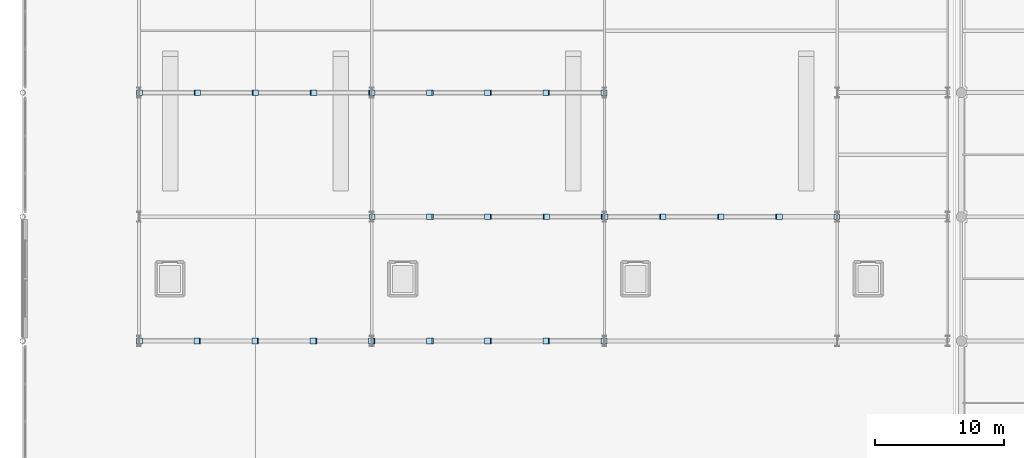
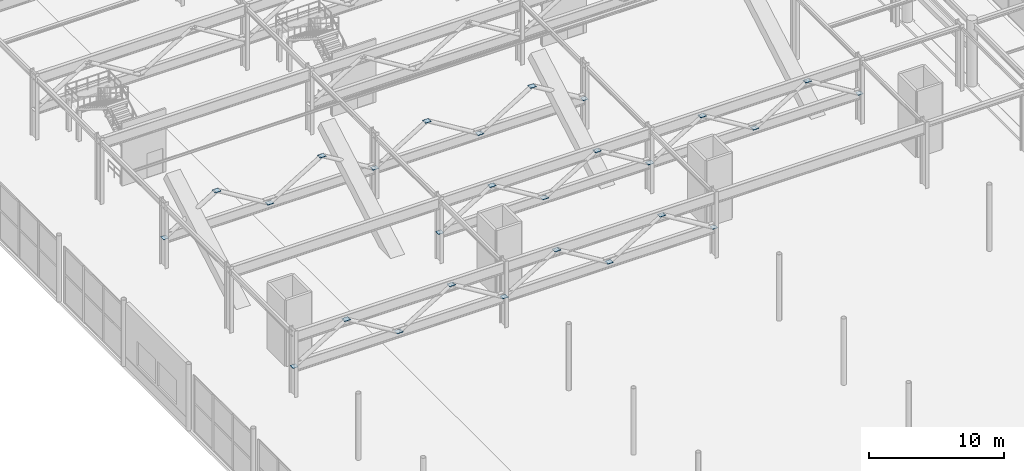
# One storey, part 52 of 113: 48 plates.
"""IFC4 building model written with IfcOpenShell, lengths in metres."""

from ifc_helpers import new_model, si_unit, direction, frame, origin, origin_2d, place, context, subcontext, project, spatial, rectangle, extrude, material, layer, layer_set, type_object, element, save


model = new_model("IFC4")

# Units and contexts
model_context = context("Model", 3, precision=1e-05, world=origin(), true_north=direction((0.0, 1.0)))
body_context = subcontext(model_context, "Body", "Model", "MODEL_VIEW")
ifc_project = project(units=[si_unit("LENGTHUNIT", "METRE"), si_unit("AREAUNIT", "SQUARE_METRE"), si_unit("VOLUMEUNIT", "CUBIC_METRE"), si_unit("PLANEANGLEUNIT", "RADIAN"), si_unit("MASSUNIT", "GRAM", prefix="KILO")], contexts=[model_context])

# Site, building, storey
site_placement = place(None, origin())
site = spatial("IfcSite", under=ifc_project, at=site_placement, CompositionType="ELEMENT")
building_placement = place(site_placement, origin())
building = spatial("IfcBuilding", under=site, at=building_placement, Name="Myrtia Square Station", CompositionType="ELEMENT")
storey_placement = place(building_placement, origin())
storey = spatial("IfcBuildingStorey", under=building, at=storey_placement, Name="L00", CompositionType="ELEMENT", Elevation=0.0)

# Plates
ifc_material = material(Name="Steel S355", Category="steel")
ifc_layer = layer(ifc_material, 0.030029296875, Name="Steel S355")
ifc_layer_set = layer_set([ifc_layer], Name="Steel S355")
plate_type = type_object("IfcPlateType", Name="PLT-GUS30", PredefinedType="USERDEFINED", material=ifc_layer_set)
for number, where, z_axis, x_axis, name in (
    (1, (9.0400390625, 38.39990234375, 2.53515625), (0.0, 0.0, 1.0), (1.0, 0.0, 0.0), "Truss node gusset plate OTR-01-D01-1"),
    (2, (13.4599609375, 38.39990234375, 5.22509765625), (0.0, 0.0, 1.0), (1.0, 0.0, 0.0), "Truss node gusset plate OTR-01-D01-2"),
    (3, (13.5400390625, 38.39990234375, 5.22509765625), (0.0, 0.0, 1.0), (1.0, 0.0, 0.0), "Truss node gusset plate OTR-01-D02-1"),
    (4, (17.9599609375, 38.39990234375, 2.53515625), (0.0, 0.0, 1.0), (1.0, 0.0, 0.0), "Truss node gusset plate OTR-01-D02-2"),
    (5, (18.0400390625, 38.39990234375, 2.53515625), (0.0, 0.0, 1.0), (1.0, 0.0, 0.0), "Truss node gusset plate OTR-01-D03-1"),
    (6, (22.4599609375, 38.39990234375, 5.22509765625), (0.0, 0.0, 1.0), (1.0, 0.0, 0.0), "Truss node gusset plate OTR-01-D03-2"),
    (7, (22.5400390625, 38.39990234375, 5.22509765625), (0.0, 0.0, 1.0), (1.0, 0.0, 0.0), "Truss node gusset plate OTR-01-D04-1"),
    (8, (26.9599609375, 38.39990234375, 2.53515625), (0.0, 0.0, 1.0), (1.0, 0.0, 0.0), "Truss node gusset plate OTR-01-D04-2"),
    (9, (27.0400390625, 38.39990234375, 2.53515625), (0.0, 0.0, 1.0), (1.0, 0.0, 0.0), "Truss node gusset plate OTR-01-D05-1"),
    (10, (31.4599609375, 38.39990234375, 5.22509765625), (0.0, 0.0, 1.0), (1.0, 0.0, 0.0), "Truss node gusset plate OTR-01-D05-2"),
    (11, (31.5400390625, 38.39990234375, 5.22509765625), (0.0, 0.0, 1.0), (1.0, 0.0, 0.0), "Truss node gusset plate OTR-01-D06-1"),
    (12, (35.9599609375, 38.39990234375, 2.53515625), (0.0, 0.0, 1.0), (1.0, 0.0, 0.0), "Truss node gusset plate OTR-01-D06-2"),
    (13, (36.0400390625, 38.39990234375, 2.53515625), (0.0, 0.0, 1.0), (1.0, 0.0, 0.0), "Truss node gusset plate OTR-01-D07-1"),
    (14, (40.4599609375, 38.39990234375, 5.22509765625), (0.0, 0.0, 1.0), (1.0, 0.0, 0.0), "Truss node gusset plate OTR-01-D07-2"),
    (15, (40.5400390625, 38.39990234375, 5.22509765625), (0.0, 0.0, 1.0), (1.0, 0.0, 0.0), "Truss node gusset plate OTR-01-D08-1"),
    (16, (44.9599609375, 38.39990234375, 2.53515625), (0.0, 0.0, 1.0), (1.0, 0.0, 0.0), "Truss node gusset plate OTR-01-D08-2"),
    (17, (27.0400390625, 48.0, 2.53515625), (0.0, 0.0, 1.0), (1.0, 0.0, 0.0), "Truss node gusset plate OTR-02-D01-1"),
    (18, (31.4599609375, 48.0, 5.22509765625), (0.0, 0.0, 1.0), (1.0, 0.0, 0.0), "Truss node gusset plate OTR-02-D01-2"),
    (19, (31.5400390625, 48.0, 5.22509765625), (0.0, 0.0, 1.0), (1.0, 0.0, 0.0), "Truss node gusset plate OTR-02-D02-1"),
    (20, (35.9599609375, 48.0, 2.53515625), (0.0, 0.0, 1.0), (1.0, 0.0, 0.0), "Truss node gusset plate OTR-02-D02-2"),
    (21, (36.0400390625, 48.0, 2.53515625), (0.0, 0.0, 1.0), (1.0, 0.0, 0.0), "Truss node gusset plate OTR-02-D03-1"),
    (22, (40.4599609375, 48.0, 5.22509765625), (0.0, 0.0, 1.0), (1.0, 0.0, 0.0), "Truss node gusset plate OTR-02-D03-2"),
    (23, (40.5400390625, 48.0, 5.22509765625), (0.0, 0.0, 1.0), (1.0, 0.0, 0.0), "Truss node gusset plate OTR-02-D04-1"),
    (24, (44.9599609375, 48.0, 2.53515625), (0.0, 0.0, 1.0), (1.0, 0.0, 0.0), "Truss node gusset plate OTR-02-D04-2"),
    (25, (45.0400390625, 48.0, 2.53515625), (0.0, 0.0, 1.0), (1.0, 0.0, 0.0), "Truss node gusset plate OTR-02-D05-1"),
    (26, (49.4599609375, 48.0, 5.22509765625), (0.0, 0.0, 1.0), (1.0, 0.0, 0.0), "Truss node gusset plate OTR-02-D05-2"),
    (27, (49.5400390625, 48.0, 5.22509765625), (0.0, 0.0, 1.0), (1.0, 0.0, 0.0), "Truss node gusset plate OTR-02-D06-1"),
    (28, (53.9599609375, 48.0, 2.53515625), (0.0, 0.0, 1.0), (1.0, 0.0, 0.0), "Truss node gusset plate OTR-02-D06-2"),
    (29, (54.0400390625, 48.0, 2.53515625), (0.0, 0.0, 1.0), (1.0, 0.0, 0.0), "Truss node gusset plate OTR-02-D07-1"),
    (30, (58.4599609375, 48.0, 5.22509765625), (0.0, 0.0, 1.0), (1.0, 0.0, 0.0), "Truss node gusset plate OTR-02-D07-2"),
    (31, (58.5400390625, 48.0, 5.22509765625), (0.0, 0.0, 1.0), (1.0, 0.0, 0.0), "Truss node gusset plate OTR-02-D08-1"),
    (32, (62.9599609375, 48.0, 2.53515625), (0.0, 0.0, 1.0), (1.0, 0.0, 0.0), "Truss node gusset plate OTR-02-D08-2"),
    (33, (9.0400390625, 57.60009765625, 2.53515625), (0.0, 0.0, 1.0), (1.0, 0.0, 0.0), "Truss node gusset plate OTR-03-D01-1"),
    (34, (13.4599609375, 57.60009765625, 5.22509765625), (0.0, 0.0, 1.0), (1.0, 0.0, 0.0), "Truss node gusset plate OTR-03-D01-2"),
    (35, (13.5400390625, 57.60009765625, 5.22509765625), (0.0, 0.0, 1.0), (1.0, 0.0, 0.0), "Truss node gusset plate OTR-03-D02-1"),
    (36, (17.9599609375, 57.60009765625, 2.53515625), (0.0, 0.0, 1.0), (1.0, 0.0, 0.0), "Truss node gusset plate OTR-03-D02-2"),
    (37, (18.0400390625, 57.60009765625, 2.53515625), (0.0, 0.0, 1.0), (1.0, 0.0, 0.0), "Truss node gusset plate OTR-03-D03-1"),
    (38, (22.4599609375, 57.60009765625, 5.22509765625), (0.0, 0.0, 1.0), (1.0, 0.0, 0.0), "Truss node gusset plate OTR-03-D03-2"),
    (39, (22.5400390625, 57.60009765625, 5.22509765625), (0.0, 0.0, 1.0), (1.0, 0.0, 0.0), "Truss node gusset plate OTR-03-D04-1"),
    (40, (26.9599609375, 57.60009765625, 2.53515625), (0.0, 0.0, 1.0), (1.0, 0.0, 0.0), "Truss node gusset plate OTR-03-D04-2"),
    (41, (27.0400390625, 57.60009765625, 2.53515625), (0.0, 0.0, 1.0), (1.0, 0.0, 0.0), "Truss node gusset plate OTR-03-D05-1"),
    (42, (31.4599609375, 57.60009765625, 5.22509765625), (0.0, 0.0, 1.0), (1.0, 0.0, 0.0), "Truss node gusset plate OTR-03-D05-2"),
    (43, (31.5400390625, 57.60009765625, 5.22509765625), (0.0, 0.0, 1.0), (1.0, 0.0, 0.0), "Truss node gusset plate OTR-03-D06-1"),
    (44, (35.9599609375, 57.60009765625, 2.53515625), (0.0, 0.0, 1.0), (1.0, 0.0, 0.0), "Truss node gusset plate OTR-03-D06-2"),
    (45, (36.0400390625, 57.60009765625, 2.53515625), (0.0, 0.0, 1.0), (1.0, 0.0, 0.0), "Truss node gusset plate OTR-03-D07-1"),
    (46, (40.4599609375, 57.60009765625, 5.22509765625), (0.0, 0.0, 1.0), (1.0, 0.0, 0.0), "Truss node gusset plate OTR-03-D07-2"),
    (47, (40.5400390625, 57.60009765625, 5.22509765625), (0.0, 0.0, 1.0), (1.0, 0.0, 0.0), "Truss node gusset plate OTR-03-D08-1"),
    (48, (44.9599609375, 57.60009765625, 2.53515625), (0.0, 0.0, 1.0), (1.0, 0.0, 0.0), "Truss node gusset plate OTR-03-D08-2"),
):
    element("IfcPlate", number, at=place(storey_placement, frame(where, z_axis=z_axis, x_axis=x_axis)), inside=storey, type_object=plate_type, Name=name, ObjectType="GUSSET PLATE", PredefinedType="USERDEFINED", context=body_context, shape_type="SweptSolid", body=[
        extrude(rectangle(XDim=0.43994140625, YDim=0.43994140625, at=origin_2d()), origin(), (0.0, 0.0, 1.0), 0.030029296875),
    ])

save(model, "model.ifc")
